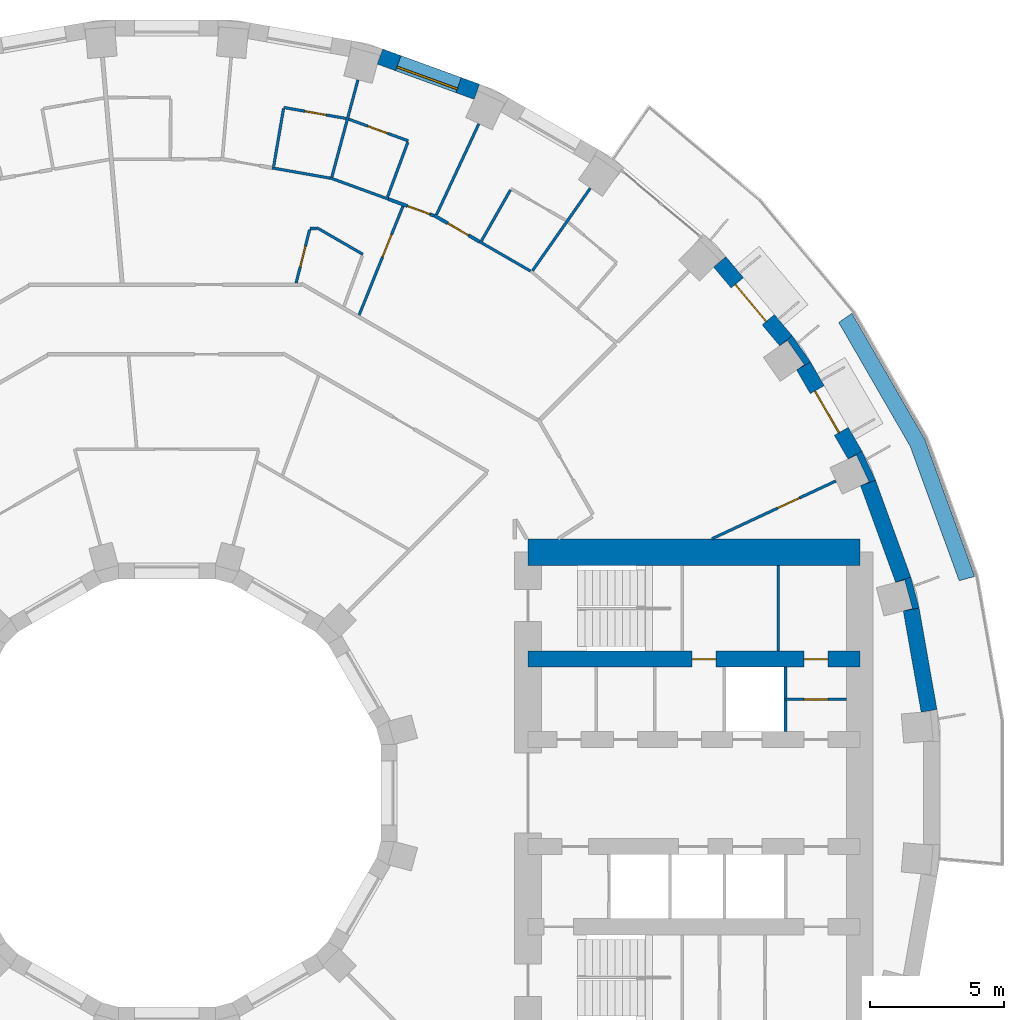
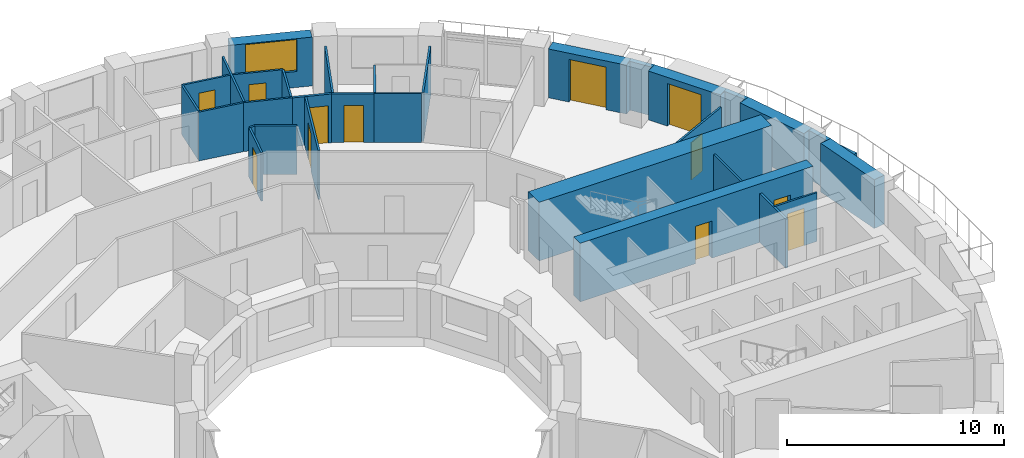
# One storey, part 13 of 15: 32 walls, 12 doors, 1 window, 13 openings.
"""IFC4 building model written with IfcOpenShell, lengths in metres."""

from ifc_helpers import new_model, si_unit, direction, frame, frame_2d, origin, place, context, subcontext, project, spatial, polyline, rectangle, outline, extrude, material, layer, layer_set, type_object, element, fill, save


model = new_model("IFC4")

# Units and contexts
model_context = context("Model", 3, precision=1e-05, world=origin(), true_north=direction((0.0, 1.0)))
body_context = subcontext(model_context, "Body", "Model", "MODEL_VIEW")
ifc_project = project(units=[si_unit("LENGTHUNIT", "METRE"), si_unit("AREAUNIT", "SQUARE_METRE"), si_unit("VOLUMEUNIT", "CUBIC_METRE"), si_unit("PLANEANGLEUNIT", "RADIAN"), si_unit("MASSUNIT", "GRAM", prefix="KILO")], contexts=[model_context])

# Site, building, storey
site_placement = place(None, origin())
site = spatial("IfcSite", under=ifc_project, at=site_placement, CompositionType="ELEMENT")
building_placement = place(site_placement, origin())
building = spatial("IfcBuilding", under=site, at=building_placement, Name="Saqina Gate Tower", CompositionType="ELEMENT")
storey_placement = place(building_placement, frame((0.0, 0.0, 56.0)))
storey = spatial("IfcBuildingStorey", under=building, at=storey_placement, Name="L15", CompositionType="ELEMENT", Elevation=56.0)

# Walls
ifc_material_1 = material(Name="Brick masonry (red)", Category="masonry")
wall_type_1 = type_object("IfcWallType", Name="BRICK PIER COPING RED", PredefinedType="SOLIDWALL", material=ifc_material_1)
wall_1_placement = place(storey_placement, origin())
element("IfcWall", 1, at=wall_1_placement, inside=storey, type_object=wall_type_1, Name="Pier cap L15 column 2", PredefinedType="SOLIDWALL", context=body_context, shape_type="SweptSolid", body=[
    extrude(outline(polyline([(28.11669921875, 6.910400390625), (27.80517578125, 8.073974609375), (27.2412109375, 7.86865234375), (27.57958984375, 7.95947265625), (27.864501953125, 6.896728515625), (27.52587890625, 6.80615234375), (28.11669921875, 6.910400390625)])), origin(), (0.0, 0.0, 1.0), 2.75),
])
wall_2_placement = place(storey_placement, origin())
element("IfcWall", 2, at=wall_2_placement, inside=storey, type_object=wall_type_1, Name="Pier cap L15 column 3", PredefinedType="SOLIDWALL", context=body_context, shape_type="SweptSolid", body=[
    extrude(outline(polyline([(25.980712890625, 12.779541015625), (25.4609375, 12.4794921875), (25.778564453125, 12.627685546875), (26.243408203125, 11.630615234375), (25.92578125, 11.482666015625), (26.48974609375, 11.687744140625), (25.980712890625, 12.779541015625)])), origin(), (0.0, 0.0, 1.0), 2.75),
])
wall_3_placement = place(storey_placement, origin())
element("IfcWall", 3, at=wall_3_placement, inside=storey, type_object=wall_type_1, Name="Pier cap L15 column 4", PredefinedType="SOLIDWALL", context=body_context, shape_type="SweptSolid", body=[
    extrude(outline(polyline([(24.0576171875, 16.110107421875), (23.36669921875, 17.096923828125), (22.9072265625, 16.711181640625), (23.194091796875, 16.912109375), (23.8251953125, 16.010986328125), (23.5380859375, 15.81005859375), (24.0576171875, 16.110107421875)])), origin(), (0.0, 0.0, 1.0), 2.75),
])

# Wall, opening, door
ifc_material_2 = material(Name="Gypsum board on steel studs", Category="steel")
ifc_layer_1 = layer(ifc_material_2, 0.10009765625)
ifc_layer_set_1 = layer_set([ifc_layer_1], Name="CORE PARTITION")
wall_type_2 = type_object("IfcWallType", Name="CORE PARTITION", PredefinedType="PARTITIONING", material=ifc_layer_set_1)
wall_4_placement = place(storey_placement, frame((23.1201171875, 3.5, 0.0), z_axis=(0.0, 0.0, 1.0), x_axis=(1.0, 0.0, 0.0)))
wall_4 = element("IfcWall", 4, at=wall_4_placement, inside=storey, type_object=wall_type_2, Name="L15-CP-E09", PredefinedType="PARTITIONING", context=body_context, shape_type="SweptSolid", body=[
    extrude(rectangle(XDim=2.27978515625, YDim=0.10009765625, at=frame_2d((1.139892578125, 0.0))), origin(), (0.0, 0.0, 1.0), 2.75),
])
opening_1_placement = place(wall_4_placement, frame((0.68994140625, 0.0, 0.0)))
opening_1 = element("IfcOpeningElement", 5, at=opening_1_placement, cuts=wall_4, Name="Opening G04-D96", PredefinedType="OPENING", context=body_context, shape_type="SweptSolid", body=[
    extrude(rectangle(XDim=0.89990234375, YDim=2.10009765625, at=frame_2d((0.449951171875, 1.050048828125))), frame((0.0, 0.06201171875, 0.0), z_axis=(0.0, -1.0, 0.0), x_axis=(1.0, 0.0, 0.0)), (0.0, 0.0, 1.0), 0.1240234375),
])
ifc_material_3 = material(Name="Steel-framed fire door leaf, EI 60", Category="steel")
door_type_1 = type_object("IfcDoorType", Name="SERVICE ROOM DOOR 900", OperationType="SINGLE_SWING_LEFT", PredefinedType="DOOR", material=ifc_material_3)
door_1_placement = place(opening_1_placement, origin())
door_1 = element("IfcDoor", 6, at=door_1_placement, inside=storey, type_object=door_type_1, Name="L15-CD-E07", OperationType="SINGLE_SWING_RIGHT", OverallHeight=2.10009765625, OverallWidth=0.89990234375, PredefinedType="DOOR", context=body_context, shape_type="SweptSolid", body=[
    extrude(rectangle(XDim=0.89990234375, YDim=2.10009765625, at=frame_2d((0.449951171875, 1.050048828125))), frame((0.0, 0.02490234375, 0.0), z_axis=(0.0, -1.0, 0.0), x_axis=(1.0, 0.0, 0.0)), (0.0, 0.0, 1.0), 0.050048828125),
])
fill(opening_1, door_1)

# Wall
wall_5_placement = place(storey_placement, frame((22.846435546875, 5.300048828125, 0.0), z_axis=(0.0, 0.0, 1.0), x_axis=(0.0, 1.0, 0.0)))
element("IfcWall", 7, at=wall_5_placement, inside=storey, type_object=wall_type_2, Name="L15-CP-E11", PredefinedType="PARTITIONING", context=body_context, shape_type="SweptSolid", body=[
    extrude(rectangle(XDim=3.199951171875, YDim=0.10009765625, at=frame_2d((1.60009765625, 0.0))), origin(), (0.0, 0.0, 1.0), 2.75),
])

# Wall, opening, door
ifc_material_4 = material(Name="Brick masonry (red)", Category="masonry")
ifc_layer_2 = layer(ifc_material_4, 0.60009765625)
ifc_layer_set_2 = layer_set([ifc_layer_2], Name="FW-BRICK-RED")
wall_type_3 = type_object("IfcWallType", Name="FW-BRICK-RED", PredefinedType="SOLIDWALL", material=ifc_layer_set_2)
wall_6_placement = place(storey_placement, frame((25.720703125, 12.629638671875, 0.0), z_axis=(0.0, 0.0, 1.0), x_axis=(-0.499989888488, 0.86603124159, 0.0)))
wall_6 = element("IfcWall", 8, at=wall_6_placement, inside=storey, type_object=wall_type_3, Name="Facade wall L15 facet 3", PredefinedType="SOLIDWALL", context=body_context, shape_type="SweptSolid", body=[
    extrude(rectangle(XDim=3.845703125, YDim=0.60009765625, at=frame_2d((1.9228515625, 0.0))), origin(), (0.0, 0.0, 1.0), 2.75),
])
opening_2_placement = place(wall_6_placement, frame((1.02294921875, 0.0, 0.0)))
opening_2 = element("IfcOpeningElement", 9, at=opening_2_placement, cuts=wall_6, Name="Opening G04-D80", PredefinedType="OPENING", context=body_context, shape_type="SweptSolid", body=[
    extrude(rectangle(XDim=1.800048828125, YDim=2.39990234375, at=frame_2d((0.89990234375, 1.199951171875))), frame((0.0, 0.31201171875, 0.0), z_axis=(0.0, -1.0, 0.0), x_axis=(1.0, 0.0, 0.0)), (0.0, 0.0, 1.0), 0.6240234375),
])
ifc_material_5 = material(Name="Aluminium glazing", Category="aluminium")
door_type_2 = type_object("IfcDoorType", Name="GD-A", OperationType="DOUBLE_DOOR_SINGLE_SWING", PredefinedType="DOOR", material=ifc_material_5)
door_2_placement = place(opening_2_placement, origin())
door_2 = element("IfcDoor", 10, at=door_2_placement, inside=storey, type_object=door_type_2, Name="Terrace door L15 facet 3", OperationType="DOUBLE_DOOR_SINGLE_SWING", OverallHeight=2.39990234375, OverallWidth=1.800048828125, PredefinedType="DOOR", context=body_context, shape_type="SweptSolid", body=[
    extrude(rectangle(XDim=1.800048828125, YDim=2.39990234375, at=frame_2d((0.89990234375, 1.199951171875))), frame((0.0, 0.125, 0.0), z_axis=(0.0, -1.0, 0.0), x_axis=(1.0, 0.0, 0.0)), (0.0, 0.0, 1.0), 0.050048828125),
])
fill(opening_2, door_2)

wall_7_placement = place(storey_placement, frame((23.136962890625, 16.904052734375, 0.0), z_axis=(0.0, 0.0, 1.0), x_axis=(-0.642809392687, 0.766026164483, 0.0)))
wall_7 = element("IfcWall", 11, at=wall_7_placement, inside=storey, type_object=wall_type_3, Name="Facade wall L15 facet 4", PredefinedType="SOLIDWALL", context=body_context, shape_type="SweptSolid", body=[
    extrude(rectangle(XDim=3.845947265625, YDim=0.60009765625, at=frame_2d((1.9228515625, 0.0))), origin(), (0.0, 0.0, 1.0), 2.75),
])
opening_3_placement = place(wall_7_placement, frame((1.02294921875, 0.0, 0.0)))
opening_3 = element("IfcOpeningElement", 12, at=opening_3_placement, cuts=wall_7, Name="Opening G04-D81", PredefinedType="OPENING", context=body_context, shape_type="SweptSolid", body=[
    extrude(rectangle(XDim=1.800048828125, YDim=2.39990234375, at=frame_2d((0.89990234375, 1.199951171875))), frame((0.0, 0.31201171875, 0.0), z_axis=(0.0, -1.0, 0.0), x_axis=(1.0, 0.0, 0.0)), (0.0, 0.0, 1.0), 0.6240234375),
])
door_3_placement = place(opening_3_placement, origin())
door_3 = element("IfcDoor", 13, at=door_3_placement, inside=storey, type_object=door_type_2, Name="Terrace door L15 facet 4", OperationType="DOUBLE_DOOR_SINGLE_SWING", OverallHeight=2.39990234375, OverallWidth=1.800048828125, PredefinedType="DOOR", context=body_context, shape_type="SweptSolid", body=[
    extrude(rectangle(XDim=1.800048828125, YDim=2.39990234375, at=frame_2d((0.89990234375, 1.199951171875))), frame((0.0, 0.125, 0.0), z_axis=(0.0, -1.0, 0.0), x_axis=(1.0, 0.0, 0.0)), (0.0, 0.0, 1.0), 0.050048828125),
])
fill(opening_3, door_3)

# Wall, opening, window
wall_8_placement = place(storey_placement, frame((11.585205078125, 26.207763671875, 0.0), z_axis=(0.0, 0.0, 1.0), x_axis=(-0.939689588564, 0.342028474173, 0.0)))
wall_8 = element("IfcWall", 14, at=wall_8_placement, inside=storey, type_object=wall_type_3, Name="Facade wall L15 facet 7", PredefinedType="SOLIDWALL", context=body_context, shape_type="SweptSolid", body=[
    extrude(rectangle(XDim=3.845947265625, YDim=0.60009765625, at=frame_2d((1.9228515625, 0.0))), origin(), (0.0, 0.0, 1.0), 2.75),
])
opening_4_placement = place(wall_8_placement, frame((0.722900390625, 0.0, 0.89990234375)))
opening_4 = element("IfcOpeningElement", 15, at=opening_4_placement, cuts=wall_8, Name="Opening G04-W02", PredefinedType="OPENING", context=body_context, shape_type="SweptSolid", body=[
    extrude(rectangle(XDim=2.39990234375, YDim=1.800048828125, at=frame_2d((1.199951171875, 0.89990234375))), frame((0.0, 0.31201171875, 0.0), z_axis=(0.0, -1.0, 0.0), x_axis=(1.0, 0.0, 0.0)), (0.0, 0.0, 1.0), 0.6240234375),
])
ifc_material_6 = material(Name="Aluminium glazing", Category="aluminium")
window_type = type_object("IfcWindowType", Name="WN-A", PartitioningType="SINGLE_PANEL", PredefinedType="WINDOW", material=ifc_material_6)
window_placement = place(opening_4_placement, origin())
window = element("IfcWindow", 16, at=window_placement, inside=storey, type_object=window_type, Name="Window L15 facet 7", OverallHeight=1.800048828125, OverallWidth=2.39990234375, PartitioningType="SINGLE_PANEL", PredefinedType="WINDOW", context=body_context, shape_type="SweptSolid", body=[
    extrude(rectangle(XDim=2.39990234375, YDim=1.800048828125, at=frame_2d((1.199951171875, 0.89990234375))), frame((0.0, 0.179931640625, 0.0), z_axis=(0.0, -1.0, 0.0), x_axis=(1.0, 0.0, 0.0)), (0.0, 0.0, 1.0), 0.06005859375),
])
fill(opening_4, window)

# Walls
ifc_material_7 = material(Name="Glazed ceramic tile", Category="ceramic")
ifc_layer_3 = layer(ifc_material_7, 0.60009765625)
ifc_layer_set_3 = layer_set([ifc_layer_3], Name="FW-TILE")
wall_type_4 = type_object("IfcWallType", Name="FW-TILE", PredefinedType="SOLIDWALL", material=ifc_layer_set_3)
wall_9_placement = place(storey_placement, frame((27.523193359375, 7.97119140625, 0.0), z_axis=(0.0, 0.0, 1.0), x_axis=(-0.342028474173, 0.939689588564, 0.0)))
element("IfcWall", 17, at=wall_9_placement, inside=storey, type_object=wall_type_4, Name="Facade wall L15 facet 2", PredefinedType="SOLIDWALL", context=body_context, shape_type="SweptSolid", body=[
    extrude(rectangle(XDim=3.845947265625, YDim=0.60009765625, at=frame_2d((1.9228515625, 0.0))), origin(), (0.0, 0.0, 1.0), 2.75),
])
ifc_material_8 = material(Name="Glazed ceramic tile (white)", Category="ceramic")
ifc_layer_4 = layer(ifc_material_8, 0.60009765625)
ifc_layer_set_4 = layer_set([ifc_layer_4], Name="FW-TILE-WH")
wall_type_5 = type_object("IfcWallType", Name="FW-TILE-WH", PredefinedType="SOLIDWALL", material=ifc_layer_set_4)
wall_10_placement = place(storey_placement, frame((28.4892578125, 3.07080078125, 0.0), z_axis=(0.0, 0.0, 1.0), x_axis=(-0.173687553279, 0.984800809218, 0.0)))
element("IfcWall", 18, at=wall_10_placement, inside=storey, type_object=wall_type_5, Name="Facade wall L15 facet 1", PredefinedType="SOLIDWALL", context=body_context, shape_type="SweptSolid", body=[
    extrude(rectangle(XDim=3.845703125, YDim=0.60009765625, at=frame_2d((1.9228515625, 0.0))), origin(), (0.0, 0.0, 1.0), 2.75),
])
ifc_material_9 = material(Name="Gypsum board on steel studs, 100 mm", Category="steel")
ifc_layer_5 = layer(ifc_material_9, 0.10009765625)
ifc_layer_set_5 = layer_set([ifc_layer_5], Name="PARTITION 100")
wall_type_6 = type_object("IfcWallType", Name="PARTITION 100", PredefinedType="PARTITIONING", material=ifc_layer_set_5)
wall_11_placement = place(storey_placement, frame((5.60400390625, 21.12890625, 0.0), z_axis=(0.0, 0.0, 1.0), x_axis=(0.865901665176, -0.500214260339, 0.0)))
element("IfcWall", 19, at=wall_11_placement, inside=storey, type_object=wall_type_6, Name="PARTITION PW3-42", PredefinedType="PARTITIONING", context=body_context, shape_type="SweptSolid", body=[
    extrude(rectangle(XDim=1.990966796875, YDim=0.10009765625, at=frame_2d((0.99560546875, 0.0))), origin(), (0.0, 0.0, 1.0), 2.75),
])
wall_12_placement = place(storey_placement, frame((11.686767578125, 20.60693359375, 0.0), z_axis=(0.0, 0.0, 1.0), x_axis=(0.866150561987, -0.499783156949, 0.0)))
element("IfcWall", 20, at=wall_12_placement, inside=storey, type_object=wall_type_6, Name="PARTITION PW3-43", PredefinedType="PARTITIONING", context=body_context, shape_type="SweptSolid", body=[
    extrude(rectangle(XDim=2.205078125, YDim=0.10009765625, at=frame_2d((1.1025390625, 0.0))), origin(), (0.0, 0.0, 1.0), 2.75),
])
wall_13_placement = place(storey_placement, frame((6.107177734375, 22.9873046875, 0.0), z_axis=(0.0, 0.0, 1.0), x_axis=(0.939734670151, -0.34190459154, 0.0)))
element("IfcWall", 21, at=wall_13_placement, inside=storey, type_object=wall_type_6, Name="PARTITION PW3-49", PredefinedType="PARTITIONING", context=body_context, shape_type="SweptSolid", body=[
    extrude(rectangle(XDim=2.3056640625, YDim=0.10009765625, at=frame_2d((1.15283203125, 0.0))), origin(), (0.0, 0.0, 1.0), 2.75),
])

# Wall, opening, door
wall_14_placement = place(storey_placement, frame((6.799072265625, 25.182861328125, 0.0), z_axis=(0.0, 0.0, 1.0), x_axis=(0.939651971579, -0.342131805461, 0.0)))
wall_14 = element("IfcWall", 22, at=wall_14_placement, inside=storey, type_object=wall_type_6, Name="PARTITION PW3-50", PredefinedType="PARTITIONING", context=body_context, shape_type="SweptSolid", body=[
    extrude(rectangle(XDim=2.369873046875, YDim=0.10009765625, at=frame_2d((1.18505859375, 0.0))), origin(), (0.0, 0.0, 1.0), 2.75),
])
opening_5_placement = place(wall_14_placement, frame((0.760009765625, 0.0, 0.0)))
opening_5 = element("IfcOpeningElement", 23, at=opening_5_placement, cuts=wall_14, Name="Opening G04-D11", PredefinedType="OPENING", context=body_context, shape_type="SweptSolid", body=[
    extrude(rectangle(XDim=0.800048828125, YDim=2.10009765625, at=frame_2d((0.39990234375, 1.050048828125))), frame((0.0, 0.06201171875, 0.0), z_axis=(0.0, -1.0, 0.0), x_axis=(1.0, 0.0, 0.0)), (0.0, 0.0, 1.0), 0.1240234375),
])
ifc_material_10 = material(Name="Timber door leaf, 800 mm", Category="wood")
door_type_3 = type_object("IfcDoorType", Name="DOOR 800 TIMBER", OperationType="SINGLE_SWING_LEFT", PredefinedType="DOOR", material=ifc_material_10)
door_4_placement = place(opening_5_placement, origin())
door_4 = element("IfcDoor", 24, at=door_4_placement, inside=storey, type_object=door_type_3, Name="DOOR G04-D11", OperationType="SINGLE_SWING_LEFT", OverallHeight=2.10009765625, OverallWidth=0.800048828125, PredefinedType="DOOR", context=body_context, shape_type="SweptSolid", body=[
    extrude(rectangle(XDim=0.800048828125, YDim=2.10009765625, at=frame_2d((0.39990234375, 1.050048828125))), frame((0.0, 0.02490234375, 0.0), z_axis=(0.0, -1.0, 0.0), x_axis=(1.0, 0.0, 0.0)), (0.0, 0.0, 1.0), 0.050048828125),
])
fill(opening_5, door_4)

# Wall
wall_15_placement = place(storey_placement, frame((3.933837890625, 23.361572265625, 0.0), z_axis=(0.0, 0.0, 1.0), x_axis=(0.984819200986, -0.173583240462, 0.0)))
element("IfcWall", 25, at=wall_15_placement, inside=storey, type_object=wall_type_6, Name="PARTITION PW3-53", PredefinedType="PARTITIONING", context=body_context, shape_type="SweptSolid", body=[
    extrude(rectangle(XDim=2.205322265625, YDim=0.10009765625, at=frame_2d((1.1025390625, 0.0))), origin(), (0.0, 0.0, 1.0), 2.75),
])

# Wall, opening, door
wall_16_placement = place(storey_placement, frame((4.3701171875, 25.6201171875, 0.0), z_axis=(0.0, 0.0, 1.0), x_axis=(0.984804303523, -0.173667739554, 0.0)))
wall_16 = element("IfcWall", 26, at=wall_16_placement, inside=storey, type_object=wall_type_6, Name="PARTITION PW3-54", PredefinedType="PARTITIONING", context=body_context, shape_type="SweptSolid", body=[
    extrude(rectangle(XDim=2.36865234375, YDim=0.10009765625, at=frame_2d((1.184326171875, 0.0))), origin(), (0.0, 0.0, 1.0), 2.75),
])
opening_6_placement = place(wall_16_placement, frame((0.809326171875, 0.0, 0.0)))
opening_6 = element("IfcOpeningElement", 27, at=opening_6_placement, cuts=wall_16, Name="Opening G04-D13", PredefinedType="OPENING", context=body_context, shape_type="SweptSolid", body=[
    extrude(rectangle(XDim=0.800048828125, YDim=2.10009765625, at=frame_2d((0.39990234375, 1.050048828125))), frame((0.0, 0.06201171875, 0.0), z_axis=(0.0, -1.0, 0.0), x_axis=(1.0, 0.0, 0.0)), (0.0, 0.0, 1.0), 0.1240234375),
])
door_5_placement = place(opening_6_placement, origin())
door_5 = element("IfcDoor", 28, at=door_5_placement, inside=storey, type_object=door_type_3, Name="DOOR G04-D13", OperationType="SINGLE_SWING_RIGHT", OverallHeight=2.10009765625, OverallWidth=0.800048828125, PredefinedType="DOOR", context=body_context, shape_type="SweptSolid", body=[
    extrude(rectangle(XDim=0.800048828125, YDim=2.10009765625, at=frame_2d((0.39990234375, 1.050048828125))), frame((0.0, 0.02490234375, 0.0), z_axis=(0.0, -1.0, 0.0), x_axis=(1.0, 0.0, 0.0)), (0.0, 0.0, 1.0), 0.050048828125),
])
fill(opening_6, door_5)

# Wall
wall_17_placement = place(storey_placement, frame((5.35107421875, 21.10009765625, 0.0), z_axis=(0.0, 0.0, 1.0), x_axis=(1.0, 0.0, 0.0)))
element("IfcWall", 29, at=wall_17_placement, inside=storey, type_object=wall_type_6, Name="PARTITION PW3-60", PredefinedType="PARTITIONING", context=body_context, shape_type="SweptSolid", body=[
    extrude(rectangle(XDim=0.2529296875, YDim=0.10009765625, at=frame_2d((0.12646484375, 0.0))), origin(), (0.0, 0.0, 1.0), 2.75),
])

# Wall, opening, door
wall_18_placement = place(storey_placement, frame((20.373046875, 9.500244140625, 0.0), z_axis=(0.0, 0.0, 1.0), x_axis=(0.906330751784, 0.422569010187, 0.0)))
wall_18 = element("IfcWall", 30, at=wall_18_placement, inside=storey, type_object=wall_type_6, Name="PARTITION PW3-71", PredefinedType="PARTITIONING", context=body_context, shape_type="SweptSolid", body=[
    extrude(rectangle(XDim=5.11083984375, YDim=0.10009765625, at=frame_2d((2.555419921875, 0.0))), origin(), (0.0, 0.0, 1.0), 2.75),
])
opening_7_placement = place(wall_18_placement, frame((2.709228515625, 0.0, 0.0)))
opening_7 = element("IfcOpeningElement", 31, at=opening_7_placement, cuts=wall_18, Name="Opening G04-D01", PredefinedType="OPENING", context=body_context, shape_type="SweptSolid", body=[
    extrude(rectangle(XDim=0.89990234375, YDim=2.10009765625, at=frame_2d((0.449951171875, 1.050048828125))), frame((0.0, 0.06201171875, 0.0), z_axis=(0.0, -1.0, 0.0), x_axis=(1.0, 0.0, 0.0)), (0.0, 0.0, 1.0), 0.1240234375),
])
ifc_material_11 = material(Name="Timber door leaf, 900 mm", Category="wood")
door_type_4 = type_object("IfcDoorType", Name="DOOR 900 TIMBER", OperationType="SINGLE_SWING_LEFT", PredefinedType="DOOR", material=ifc_material_11)
door_6_placement = place(opening_7_placement, origin())
door_6 = element("IfcDoor", 32, at=door_6_placement, inside=storey, type_object=door_type_4, Name="DOOR G04-D01", OperationType="SINGLE_SWING_RIGHT", OverallHeight=2.10009765625, OverallWidth=0.89990234375, PredefinedType="DOOR", context=body_context, shape_type="SweptSolid", body=[
    extrude(rectangle(XDim=0.89990234375, YDim=2.10009765625, at=frame_2d((0.449951171875, 1.050048828125))), frame((0.0, 0.02490234375, 0.0), z_axis=(0.0, -1.0, 0.0), x_axis=(1.0, 0.0, 0.0)), (0.0, 0.0, 1.0), 0.050048828125),
])
fill(opening_7, door_6)

# Walls
wall_19_placement = place(storey_placement, frame((13.668701171875, 19.52099609375, 0.0), z_axis=(0.0, 0.0, 1.0), x_axis=(0.573558226361, 0.81916479476, 0.0)))
element("IfcWall", 33, at=wall_19_placement, inside=storey, type_object=wall_type_6, Name="PARTITION PW3-89", PredefinedType="PARTITIONING", context=body_context, shape_type="SweptSolid", body=[
    extrude(rectangle(XDim=3.759521484375, YDim=0.10009765625, at=frame_2d((1.8798828125, 0.0))), origin(), (0.0, 0.0, 1.0), 2.75),
])
wall_20_placement = place(storey_placement, frame((11.760986328125, 20.63623046875, 0.0), z_axis=(0.0, 0.0, 1.0), x_axis=(0.495213152806, 0.868771508101, 0.0)))
element("IfcWall", 34, at=wall_20_placement, inside=storey, type_object=wall_type_6, Name="PARTITION PW3-97", PredefinedType="PARTITIONING", context=body_context, shape_type="SweptSolid", body=[
    extrude(rectangle(XDim=2.1875, YDim=0.10009765625, at=frame_2d((1.09375, 0.0))), origin(), (0.0, 0.0, 1.0), 2.75),
])
wall_21_placement = place(storey_placement, frame((10.076904296875, 21.6083984375, 0.0), z_axis=(0.0, 0.0, 1.0), x_axis=(0.422418199687, 0.906401050624, 0.0)))
element("IfcWall", 35, at=wall_21_placement, inside=storey, type_object=wall_type_6, Name="PARTITION PW3-98", PredefinedType="PARTITIONING", context=body_context, shape_type="SweptSolid", body=[
    extrude(rectangle(XDim=3.74755859375, YDim=0.10009765625, at=frame_2d((1.873779296875, 0.0))), origin(), (0.0, 0.0, 1.0), 2.75),
])

# Wall, opening, door
wall_22_placement = place(storey_placement, frame((7.188232421875, 17.861083984375, 0.0), z_axis=(0.0, 0.0, 1.0), x_axis=(0.373452567141, 0.927649276449, 0.0)))
wall_22 = element("IfcWall", 36, at=wall_22_placement, inside=storey, type_object=wall_type_6, Name="PARTITION PW3-99", PredefinedType="PARTITIONING", context=body_context, shape_type="SweptSolid", body=[
    extrude(rectangle(XDim=4.38720703125, YDim=0.10009765625, at=frame_2d((2.193603515625, 0.0))), origin(), (0.0, 0.0, 1.0), 2.75),
])
opening_8_placement = place(wall_22_placement, frame((2.34375, 0.0, 0.0)))
opening_8 = element("IfcOpeningElement", 37, at=opening_8_placement, cuts=wall_22, Name="Opening G04-D10", PredefinedType="OPENING", context=body_context, shape_type="SweptSolid", body=[
    extrude(rectangle(XDim=0.89990234375, YDim=2.10009765625, at=frame_2d((0.449951171875, 1.050048828125))), frame((0.0, 0.06201171875, 0.0), z_axis=(0.0, -1.0, 0.0), x_axis=(1.0, 0.0, 0.0)), (0.0, 0.0, 1.0), 0.1240234375),
])
door_7_placement = place(opening_8_placement, origin())
door_7 = element("IfcDoor", 38, at=door_7_placement, inside=storey, type_object=door_type_4, Name="DOOR G04-D10", OperationType="SINGLE_SWING_LEFT", OverallHeight=2.10009765625, OverallWidth=0.89990234375, PredefinedType="DOOR", context=body_context, shape_type="SweptSolid", body=[
    extrude(rectangle(XDim=0.89990234375, YDim=2.10009765625, at=frame_2d((0.449951171875, 1.050048828125))), frame((0.0, 0.02490234375, 0.0), z_axis=(0.0, -1.0, 0.0), x_axis=(1.0, 0.0, 0.0)), (0.0, 0.0, 1.0), 0.050048828125),
])
fill(opening_8, door_7)

# Walls
wall_23_placement = place(storey_placement, frame((8.248779296875, 22.274658203125, 0.0), z_axis=(0.0, 0.0, 1.0), x_axis=(0.347437983371, 0.937702963476, 0.0)))
element("IfcWall", 39, at=wall_23_placement, inside=storey, type_object=wall_type_6, Name="PARTITION PW3-100", PredefinedType="PARTITIONING", context=body_context, shape_type="SweptSolid", body=[
    extrude(rectangle(XDim=2.186767578125, YDim=0.10009765625, at=frame_2d((1.09326171875, 0.0))), origin(), (0.0, 0.0, 1.0), 2.75),
])
wall_24_placement = place(storey_placement, frame((6.16796875, 23.018310546875, 0.0), z_axis=(0.0, 0.0, 1.0), x_axis=(0.259367918518, 0.965778588934, 0.0)))
element("IfcWall", 40, at=wall_24_placement, inside=storey, type_object=wall_type_6, Name="PARTITION PW3-105", PredefinedType="PARTITIONING", context=body_context, shape_type="SweptSolid", body=[
    extrude(rectangle(XDim=3.759521484375, YDim=0.10009765625, at=frame_2d((1.8798828125, 0.0))), origin(), (0.0, 0.0, 1.0), 2.75),
])

# Wall, opening, door
wall_25_placement = place(storey_placement, frame((4.834228515625, 19.060546875, 0.0), z_axis=(0.0, 0.0, 1.0), x_axis=(0.245583064142, 0.969375550861, 0.0)))
wall_25 = element("IfcWall", 41, at=wall_25_placement, inside=storey, type_object=wall_type_6, Name="PARTITION PW3-108", PredefinedType="PARTITIONING", context=body_context, shape_type="SweptSolid", body=[
    extrude(rectangle(XDim=2.053955078125, YDim=0.10009765625, at=frame_2d((1.02685546875, 0.0))), origin(), (0.0, 0.0, 1.0), 2.75),
])
opening_9_placement = place(wall_25_placement, frame((0.62060546875, 0.0, 0.0)))
opening_9 = element("IfcOpeningElement", 42, at=opening_9_placement, cuts=wall_25, Name="Opening G04-D12", PredefinedType="OPENING", context=body_context, shape_type="SweptSolid", body=[
    extrude(rectangle(XDim=0.800048828125, YDim=2.10009765625, at=frame_2d((0.39990234375, 1.050048828125))), frame((0.0, 0.06201171875, 0.0), z_axis=(0.0, -1.0, 0.0), x_axis=(1.0, 0.0, 0.0)), (0.0, 0.0, 1.0), 0.1240234375),
])
door_8_placement = place(opening_9_placement, origin())
door_8 = element("IfcDoor", 43, at=door_8_placement, inside=storey, type_object=door_type_3, Name="DOOR G04-D12", OperationType="SINGLE_SWING_LEFT", OverallHeight=2.10009765625, OverallWidth=0.800048828125, PredefinedType="DOOR", context=body_context, shape_type="SweptSolid", body=[
    extrude(rectangle(XDim=0.800048828125, YDim=2.10009765625, at=frame_2d((0.39990234375, 1.050048828125))), frame((0.0, 0.02490234375, 0.0), z_axis=(0.0, -1.0, 0.0), x_axis=(1.0, 0.0, 0.0)), (0.0, 0.0, 1.0), 0.050048828125),
])
fill(opening_9, door_8)

# Wall
wall_26_placement = place(storey_placement, frame((3.993408203125, 23.41455078125, 0.0), z_axis=(0.0, 0.0, 1.0), x_axis=(0.1683070432, 0.985734619058, 0.0)))
element("IfcWall", 44, at=wall_26_placement, inside=storey, type_object=wall_type_6, Name="PARTITION PW3-110", PredefinedType="PARTITIONING", context=body_context, shape_type="SweptSolid", body=[
    extrude(rectangle(XDim=2.1875, YDim=0.10009765625, at=frame_2d((1.09375, 0.0))), origin(), (0.0, 0.0, 1.0), 2.75),
])

# Wall, opening, door
ifc_material_12 = material(Name="Gypsum board on steel studs, 125 mm, fire rated", Category="steel")
ifc_layer_6 = layer(ifc_material_12, 0.125)
ifc_layer_set_6 = layer_set([ifc_layer_6], Name="PARTITION EI 30 125")
wall_type_7 = type_object("IfcWallType", Name="PARTITION EI 30 125", PredefinedType="PARTITIONING", material=ifc_layer_set_6)
wall_27_placement = place(storey_placement, frame((9.9951171875, 21.583740234375, 0.0), z_axis=(0.0, 0.0, 1.0), x_axis=(0.865996179119, -0.50005061519, 0.0)))
wall_27 = element("IfcWall", 45, at=wall_27_placement, inside=storey, type_object=wall_type_7, Name="PARTITION PW1-14", PredefinedType="PARTITIONING", context=body_context, shape_type="SweptSolid", body=[
    extrude(rectangle(XDim=1.953369140625, YDim=0.125, at=frame_2d((0.9765625, 0.0))), origin(), (0.0, 0.0, 1.0), 2.75),
])
opening_10_placement = place(wall_27_placement, frame((0.58349609375, 0.0, 0.0)))
opening_10 = element("IfcOpeningElement", 46, at=opening_10_placement, cuts=wall_27, Name="Opening G04-D08", PredefinedType="OPENING", context=body_context, shape_type="SweptSolid", body=[
    extrude(rectangle(XDim=0.89990234375, YDim=2.10009765625, at=frame_2d((0.449951171875, 1.050048828125))), frame((0.0, 0.074462890625, 0.0), z_axis=(0.0, -1.0, 0.0), x_axis=(1.0, 0.0, 0.0)), (0.0, 0.0, 1.0), 0.14892578125),
])
ifc_material_13 = material(Name="Fire door leaf EI 30, 900 mm")
door_type_5 = type_object("IfcDoorType", Name="DOOR 900 EI 30", OperationType="SINGLE_SWING_LEFT", PredefinedType="DOOR", material=ifc_material_13)
door_9_placement = place(opening_10_placement, frame((0.89990234375, 0.0, 0.0), z_axis=(0.0, 0.0, 1.0), x_axis=(-1.0, 0.0, 0.0)))
door_9 = element("IfcDoor", 47, at=door_9_placement, inside=storey, type_object=door_type_5, Name="DOOR G04-D08", OperationType="SINGLE_SWING_RIGHT", OverallHeight=2.10009765625, OverallWidth=0.89990234375, PredefinedType="DOOR", context=body_context, shape_type="SweptSolid", body=[
    extrude(rectangle(XDim=0.89990234375, YDim=2.10009765625, at=frame_2d((0.449951171875, 1.050048828125))), frame((0.0, 0.02490234375, 0.0), z_axis=(0.0, -1.0, 0.0), x_axis=(1.0, 0.0, 0.0)), (0.0, 0.0, 1.0), 0.050048828125),
])
fill(opening_10, door_9)

wall_28_placement = place(storey_placement, frame((8.27392578125, 22.198974609375, 0.0), z_axis=(0.0, 0.0, 1.0), x_axis=(0.939613884944, -0.342236390848, 0.0)))
wall_28 = element("IfcWall", 48, at=wall_28_placement, inside=storey, type_object=wall_type_7, Name="PARTITION PW1-18", PredefinedType="PARTITIONING", context=body_context, shape_type="SweptSolid", body=[
    extrude(rectangle(XDim=1.82763671875, YDim=0.125, at=frame_2d((0.913818359375, 0.0))), origin(), (0.0, 0.0, 1.0), 2.75),
])
opening_11_placement = place(wall_28_placement, frame((0.77001953125, 0.0, 0.0)))
opening_11 = element("IfcOpeningElement", 49, at=opening_11_placement, cuts=wall_28, Name="Opening G04-D09", PredefinedType="OPENING", context=body_context, shape_type="SweptSolid", body=[
    extrude(rectangle(XDim=0.89990234375, YDim=2.10009765625, at=frame_2d((0.449951171875, 1.050048828125))), frame((0.0, 0.074462890625, 0.0), z_axis=(0.0, -1.0, 0.0), x_axis=(1.0, 0.0, 0.0)), (0.0, 0.0, 1.0), 0.14892578125),
])
door_10_placement = place(opening_11_placement, frame((0.89990234375, 0.0, 0.0), z_axis=(0.0, 0.0, 1.0), x_axis=(-1.0, 0.0, 0.0)))
door_10 = element("IfcDoor", 50, at=door_10_placement, inside=storey, type_object=door_type_5, Name="DOOR G04-D09", OperationType="SINGLE_SWING_RIGHT", OverallHeight=2.10009765625, OverallWidth=0.89990234375, PredefinedType="DOOR", context=body_context, shape_type="SweptSolid", body=[
    extrude(rectangle(XDim=0.89990234375, YDim=2.10009765625, at=frame_2d((0.449951171875, 1.050048828125))), frame((0.0, 0.02490234375, 0.0), z_axis=(0.0, -1.0, 0.0), x_axis=(1.0, 0.0, 0.0)), (0.0, 0.0, 1.0), 0.050048828125),
])
fill(opening_11, door_10)

# Walls
ifc_material_14 = material(Name="Brick masonry (red)", Category="masonry")
ifc_layer_7 = layer(ifc_material_14, 0.60009765625)
ifc_layer_set_7 = layer_set([ifc_layer_7], Name="PL-PLANTER")
wall_type_8 = type_object("IfcWallType", Name="PL-PLANTER", PredefinedType="PARAPET", material=ifc_layer_set_7)
wall_29_placement = place(storey_placement, origin())
element("IfcWall", 51, at=wall_29_placement, inside=storey, type_object=wall_type_8, Name="Planter L15", PredefinedType="PARAPET", context=body_context, shape_type="SweptSolid", body=[
    extrude(outline(polyline([(30.193603515625, 8.09033203125), (28.329833984375, 13.21044921875), (25.60546875, 17.92919921875), (25.1123046875, 17.583740234375), (27.783935546875, 12.955810546875), (29.61181640625, 7.934326171875), (30.193603515625, 8.09033203125)])), origin(), (0.0, 0.0, 1.0), 0.5),
])
ifc_material_15 = material(Name="Autoclaved aerated concrete block", Category="concrete")
ifc_layer_8 = layer(ifc_material_15, 0.1201171875)
ifc_layer_set_8 = layer_set([ifc_layer_8], Name="SHAFT PARTITION")
wall_type_9 = type_object("IfcWallType", Name="SHAFT PARTITION", PredefinedType="PARTITIONING", material=ifc_layer_set_8)
wall_30_placement = place(storey_placement, frame((23.1201171875, 2.300048828125, 0.0), z_axis=(0.0, 0.0, 1.0), x_axis=(0.0, 1.0, 0.0)))
element("IfcWall", 52, at=wall_30_placement, inside=storey, type_object=wall_type_9, Name="L15-CP-E04", PredefinedType="PARTITIONING", context=body_context, shape_type="SweptSolid", body=[
    extrude(rectangle(XDim=2.39990234375, YDim=0.1201171875, at=frame_2d((1.199951171875, 0.0))), origin(), (0.0, 0.0, 1.0), 2.75),
])

# Wall, openings, doors
ifc_material_16 = material(Name="Concrete C70/85", Category="concrete")
ifc_layer_9 = layer(ifc_material_16, 0.60009765625)
ifc_layer_set_9 = layer_set([ifc_layer_9], Name="Concrete C70/85")
wall_type_10 = type_object("IfcWallType", Name="STR-CORE WALL-A-I", PredefinedType="SHEAR", material=ifc_layer_set_9)
wall_31_placement = place(storey_placement, frame((13.5, 5.0, 0.0), z_axis=(0.0, 0.0, 1.0), x_axis=(1.0, 0.0, 0.0)))
wall_31 = element("IfcWall", 53, at=wall_31_placement, inside=storey, type_object=wall_type_10, Name="CORE WALL L15 E-X1", PredefinedType="SHEAR", context=body_context, shape_type="SweptSolid", body=[
    extrude(rectangle(XDim=12.39990234375, YDim=0.60009765625, at=frame_2d((6.199951171875, 0.0))), origin(), (0.0, 0.0, 1.0), 3.300048828125),
])
opening_12_placement = place(wall_31_placement, frame((6.1298828125, 0.0, 0.0)))
opening_12 = element("IfcOpeningElement", 54, at=opening_12_placement, cuts=wall_31, Name="Opening G04-D97", PredefinedType="OPENING", context=body_context, shape_type="SweptSolid", body=[
    extrude(rectangle(XDim=0.89990234375, YDim=2.10009765625, at=frame_2d((0.449951171875, 1.050048828125))), frame((0.0, 0.31201171875, 0.0), z_axis=(0.0, -1.0, 0.0), x_axis=(1.0, 0.0, 0.0)), (0.0, 0.0, 1.0), 0.6240234375),
])
opening_13_placement = place(wall_31_placement, frame((10.31005859375, 0.0, 0.0)))
opening_13 = element("IfcOpeningElement", 55, at=opening_13_placement, cuts=wall_31, Name="Opening G04-D98", PredefinedType="OPENING", context=body_context, shape_type="SweptSolid", body=[
    extrude(rectangle(XDim=0.89990234375, YDim=2.10009765625, at=frame_2d((0.449951171875, 1.050048828125))), frame((0.0, 0.31201171875, 0.0), z_axis=(0.0, -1.0, 0.0), x_axis=(1.0, 0.0, 0.0)), (0.0, 0.0, 1.0), 0.6240234375),
])
door_11_placement = place(opening_12_placement, origin())
door_11 = element("IfcDoor", 56, at=door_11_placement, inside=storey, type_object=door_type_1, Name="L15-CD-E08", OperationType="SINGLE_SWING_LEFT", OverallHeight=2.10009765625, OverallWidth=0.89990234375, PredefinedType="DOOR", context=body_context, shape_type="SweptSolid", body=[
    extrude(rectangle(XDim=0.89990234375, YDim=2.10009765625, at=frame_2d((0.449951171875, 1.050048828125))), frame((0.0, 0.02490234375, 0.0), z_axis=(0.0, -1.0, 0.0), x_axis=(1.0, 0.0, 0.0)), (0.0, 0.0, 1.0), 0.050048828125),
])
fill(opening_12, door_11)
door_12_placement = place(opening_13_placement, origin())
door_12 = element("IfcDoor", 57, at=door_12_placement, inside=storey, type_object=door_type_1, Name="L15-CD-E09", OperationType="SINGLE_SWING_RIGHT", OverallHeight=2.10009765625, OverallWidth=0.89990234375, PredefinedType="DOOR", context=body_context, shape_type="SweptSolid", body=[
    extrude(rectangle(XDim=0.89990234375, YDim=2.10009765625, at=frame_2d((0.449951171875, 1.050048828125))), frame((0.0, 0.02490234375, 0.0), z_axis=(0.0, -1.0, 0.0), x_axis=(1.0, 0.0, 0.0)), (0.0, 0.0, 1.0), 0.050048828125),
])
fill(opening_13, door_12)

# Wall
ifc_material_17 = material(Name="Concrete C70/85", Category="concrete")
ifc_layer_10 = layer(ifc_material_17, 1.0)
ifc_layer_set_10 = layer_set([ifc_layer_10], Name="Concrete C70/85")
wall_type_11 = type_object("IfcWallType", Name="STR-CORE WALL-A-O", PredefinedType="SHEAR", material=ifc_layer_set_10)
wall_32_placement = place(storey_placement, frame((13.5, 9.0, 0.0), z_axis=(0.0, 0.0, 1.0), x_axis=(1.0, 0.0, 0.0)))
element("IfcWall", 58, at=wall_32_placement, inside=storey, type_object=wall_type_11, Name="CORE WALL L15 E-NE", PredefinedType="SHEAR", context=body_context, shape_type="SweptSolid", body=[
    extrude(rectangle(XDim=12.39990234375, YDim=1.0, at=frame_2d((6.199951171875, 0.0))), origin(), (0.0, 0.0, 1.0), 3.300048828125),
])

save(model, "model.ifc")
